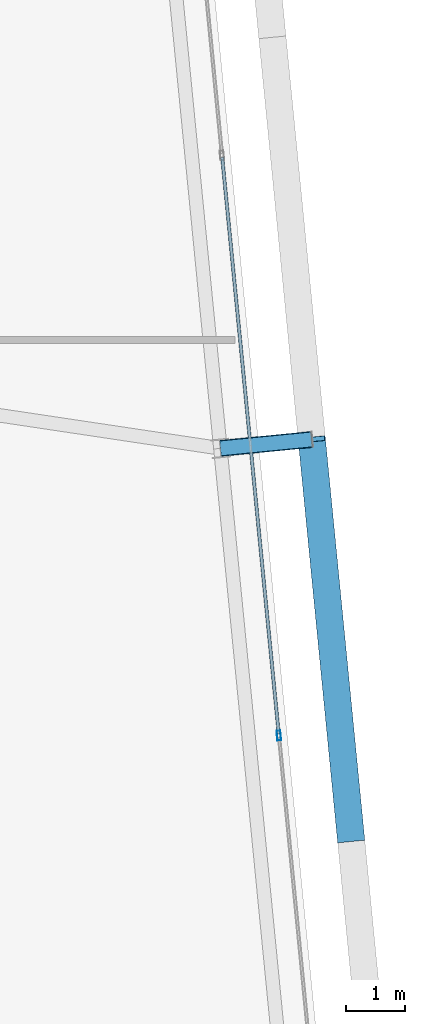
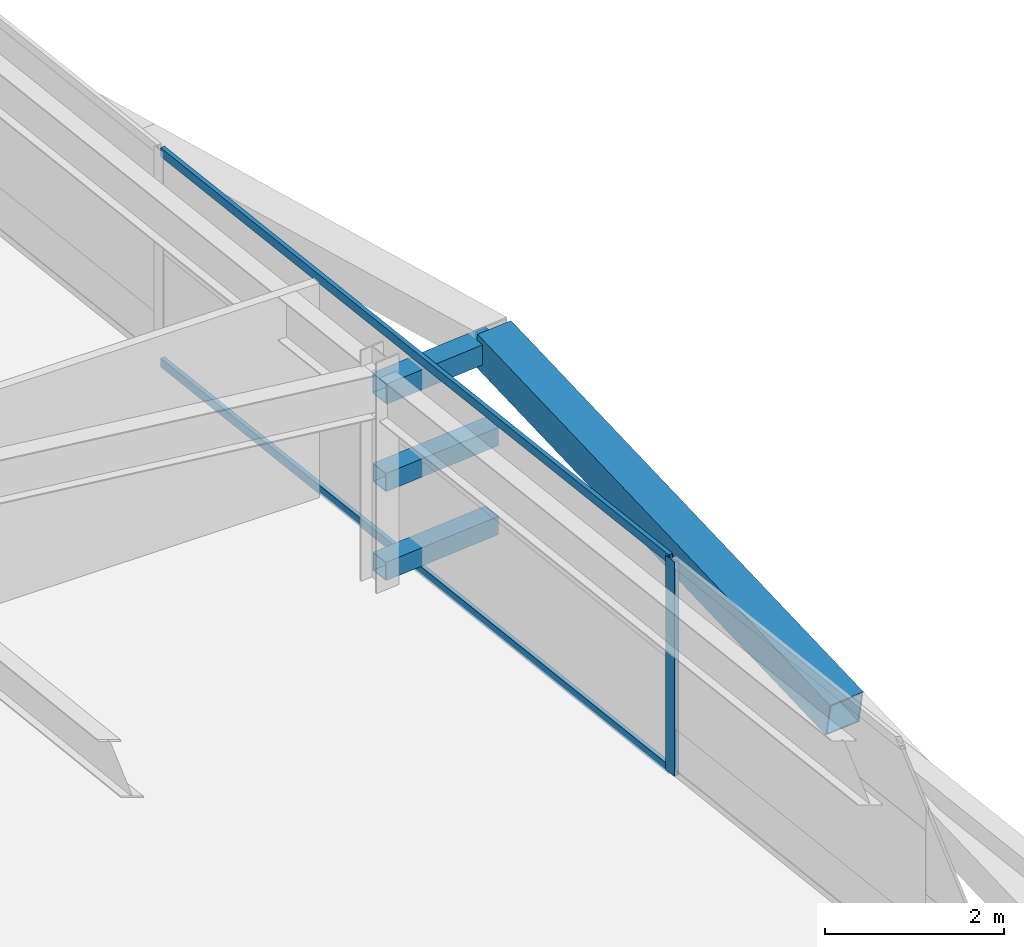
# One storey, part 21 of 47: 7 members, 1 element without a shape of its own.
"""IFC4 building model written with IfcOpenShell, lengths in metres."""

from ifc_helpers import new_model, si_unit, direction, frame, origin, origin_2d, place, context, subcontext, project, spatial, hollow_rectangle, extrude, source, transform, mapped, material, layer, layer_set, material_profile, profile_set, type_object, element, aggregate, save


model = new_model("IFC4")

# Units and contexts
model_context = context("Model", 3, precision=1e-05, world=origin(), true_north=direction((0.0, 1.0)))
body_context = subcontext(model_context, "Body", "Model", "MODEL_VIEW")
ifc_project = project(units=[si_unit("LENGTHUNIT", "METRE"), si_unit("AREAUNIT", "SQUARE_METRE"), si_unit("VOLUMEUNIT", "CUBIC_METRE"), si_unit("PLANEANGLEUNIT", "RADIAN"), si_unit("MASSUNIT", "GRAM", prefix="KILO")], contexts=[model_context])

# Site, building, storey
site_placement = place(None, origin())
site = spatial("IfcSite", under=ifc_project, at=site_placement, CompositionType="ELEMENT")
building_placement = place(site_placement, origin())
building = spatial("IfcBuilding", under=site, at=building_placement, Name="Taldren Reach Tower", CompositionType="ELEMENT")
storey_placement = place(building_placement, frame((0.0, 0.0, 106.050048828125)))
storey = spatial("IfcBuildingStorey", under=building, at=storey_placement, Name="L32", CompositionType="ELEMENT", Elevation=106.050048828125)

# Members
ifc_material_1 = material(Name="Steel Gr 450 (C450L0)", Category="steel")
ifc_material_profile_1 = material_profile(ifc_material_1, hollow_rectangle(XDim=0.27490234375, YDim=0.27490234375, WallThickness=0.00927734375, at=origin_2d()), Name="275x275x9.3SHS")
ifc_profile_set_1 = profile_set([ifc_material_profile_1], Name="Steel Gr 450 (C450L0)")
member_type_1 = type_object("IfcMemberType", Name="MB-TIE273", PredefinedType="STRUT", material=ifc_profile_set_1)
shared_shape_1 = source(origin(), body_context, "Body", "SweptSolid", [
    extrude(hollow_rectangle(XDim=0.27490234375, YDim=0.27490234375, WallThickness=0.00927734375, at=origin_2d()), origin(), (0.0, 0.0, 1.0), 1.5498046875),
])
member_1_placement = place(storey_placement, frame((64.569580078125, 21.968994140625, 2.64990234375), z_axis=(0.995234821595, 0.097507178627, 0.0), x_axis=(-0.097507178627, 0.995234821595, 0.0)))
element("IfcMember", 1, at=member_1_placement, inside=storey, type_object=member_type_1, Name="Exoskeleton diaphragm tie strut B2-E2 L32", PredefinedType="STRUT", context=body_context, shape_type="MappedRepresentation", body=[
    mapped(shared_shape_1, transform((0.0, 0.0, 0.0), scale=1.0)),
])
ifc_material_2 = material(Name="Steel Gr 350 (C350L0)", Category="steel")
ifc_material_profile_2 = material_profile(ifc_material_2, hollow_rectangle(XDim=0.25, YDim=0.25, WallThickness=0.010009765625, at=origin_2d()), Name="250x250x10.0SHS")
ifc_profile_set_2 = profile_set([ifc_material_profile_2], Name="Steel Gr 350 (C350L0)")
member_type_2 = type_object("IfcMemberType", Name="MB-POST250", PredefinedType="POST", material=ifc_profile_set_2)
shared_shape_2 = source(origin(), body_context, "Body", "SweptSolid", [
    extrude(hollow_rectangle(XDim=0.25, YDim=0.25, WallThickness=0.010009765625, at=origin_2d()), origin(), (0.0, 0.0, 1.0), 1.5498046875),
])
for number, where, z_axis, x_axis, name in (
    (2, (64.569580078125, 21.968994140625, 0.219970703125), (0.995234821595, 0.097507178627, 0.0), (-0.097507178627, 0.995234821595, 0.0), "Exoskeleton base diaphragm tie strut B2-E2 L32"),
    (3, (64.569580078125, 21.968994140625, 1.43505859375), (0.995234821595, 0.097507178627, 0.0), (-0.097507178627, 0.995234821595, 0.0), "Exoskeleton mid-tier diaphragm tie B2-E2 L32"),
):
    element("IfcMember", number, at=place(storey_placement, frame(where, z_axis=z_axis, x_axis=x_axis)), inside=storey, type_object=member_type_2, Name=name, PredefinedType="POST", context=body_context, shape_type="MappedRepresentation", body=[
        mapped(shared_shape_2, transform((0.0, 0.0, 0.0), scale=1.0)),
    ])
ifc_material_profile_3 = material_profile(ifc_material_1, hollow_rectangle(XDim=0.4599609375, YDim=0.4599609375, WallThickness=0.01611328125, at=origin_2d()), Name="460x460x16.0SHS")
ifc_profile_set_3 = profile_set([ifc_material_profile_3], Name="Steel Gr 450 (C450L0)")
member_type_3 = type_object("IfcMemberType", Name="MB-EXO457", PredefinedType="BRACE", material=ifc_profile_set_3)
shared_shape_3 = source(origin(), body_context, "Body", "SweptSolid", [
    extrude(hollow_rectangle(XDim=0.4599609375, YDim=0.4599609375, WallThickness=0.01611328125, at=origin_2d()), origin(), (0.0, 0.0, 1.0), 6.883056640625),
])
member_2_placement = place(storey_placement, frame((66.773193359375, 15.37744140625, 1.43505859375), z_axis=(-0.096052059581, 0.979603316657, 0.176497432967), x_axis=(-0.995227290009, -0.097584021339, 0.0)))
element("IfcMember", 4, at=member_2_placement, inside=storey, type_object=member_type_3, Name="Exoskeleton Diagrid Brace B2-E1 L32", PredefinedType="BRACE", context=body_context, shape_type="MappedRepresentation", body=[
    mapped(shared_shape_3, transform((0.0, 0.0, 0.0), scale=1.0)),
])

# Curtain wall, members
ifc_material_3 = material(Name="Aluminium and Low-E Glass Unitised System", Category="aluminium")
ifc_layer = layer(ifc_material_3, 0.159912109375)
ifc_layer_set = layer_set([ifc_layer], Name="Aluminium and Low-E Glass Unitised System")
curtain_wall_type = type_object("IfcCurtainWallType", Name="CW-SYS-3", PredefinedType="NOTDEFINED", material=ifc_layer_set)
curtain_wall_placement = place(storey_placement, origin())
curtain_wall = element("IfcCurtainWall", 5, at=curtain_wall_placement, inside=storey, type_object=curtain_wall_type, Name="Unitised curtain wall CW-L32-E", PredefinedType="NOTDEFINED")
ifc_material_4 = material(Name="Anodised Aluminium 6063-T6", Category="aluminium")
ifc_material_profile_4 = material_profile(ifc_material_4, hollow_rectangle(XDim=0.06494140625, YDim=0.1650390625, WallThickness=0.00390625, at=origin_2d()), Name="ALU-165x65x4RHS")
ifc_profile_set_4 = profile_set([ifc_material_profile_4], Name="Anodised Aluminium 6063-T6")
member_type_4 = type_object("IfcMemberType", Name="CW-MUL-165", PredefinedType="MULLION", material=ifc_profile_set_4)
shared_shape_4 = source(origin(), body_context, "Body", "SweptSolid", [
    extrude(hollow_rectangle(XDim=0.06494140625, YDim=0.1650390625, WallThickness=0.00390625, at=origin_2d()), origin(), (0.0, 0.0, 1.0), 2.929931640625),
])
member_3_placement = place(storey_placement, frame((65.556884765625, 17.12548828125, 0.0), z_axis=(0.0, 0.0, 1.0), x_axis=(-0.99522741555, -0.09758274098, 0.0)))
member_3 = element("IfcMember", 6, at=member_3_placement, type_object=member_type_4, Name="CW-3 mullion 2", PredefinedType="MULLION", context=body_context, shape_type="MappedRepresentation", body=[
    mapped(shared_shape_4, transform((0.0, 0.0, 0.0), scale=1.0)),
])
ifc_material_profile_5 = material_profile(ifc_material_4, hollow_rectangle(XDim=0.054931640625, YDim=0.1201171875, WallThickness=0.0029296875, at=origin_2d()), Name="ALU-120x55x3RHS")
ifc_profile_set_5 = profile_set([ifc_material_profile_5], Name="Anodised Aluminium 6063-T6")
member_type_5 = type_object("IfcMemberType", Name="CW-TRN-135", PredefinedType="USERDEFINED", material=ifc_profile_set_5)
shared_shape_5 = source(origin(), body_context, "Body", "SweptSolid", [
    extrude(hollow_rectangle(XDim=0.054931640625, YDim=0.1201171875, WallThickness=0.0029296875, at=origin_2d()), origin(), (0.0, 0.0, 1.0), 9.768310546875),
])
member_4_placement = place(storey_placement, frame((65.5537109375, 17.15771484375, 0.02734375), z_axis=(-0.097598120756, 0.995225907432, 0.0), x_axis=(-0.995225907432, -0.097598120756, 0.0)))
member_4 = element("IfcMember", 7, at=member_4_placement, type_object=member_type_5, Name="CW-3 transom 2.1", ObjectType="TRANSOM", PredefinedType="USERDEFINED", context=body_context, shape_type="MappedRepresentation", body=[
    mapped(shared_shape_5, transform((0.0, 0.0, 0.0), scale=1.0)),
])
member_5_placement = place(storey_placement, frame((65.5537109375, 17.15771484375, 2.90234375), z_axis=(-0.097598120756, 0.995225907432, 0.0), x_axis=(-0.995225907432, -0.097598120756, 0.0)))
member_5 = element("IfcMember", 8, at=member_5_placement, type_object=member_type_5, Name="CW-3 transom 2.2", ObjectType="TRANSOM", PredefinedType="USERDEFINED", context=body_context, shape_type="MappedRepresentation", body=[
    mapped(shared_shape_5, transform((0.0, 0.0, 0.0), scale=1.0)),
])
aggregate(curtain_wall, [member_3, member_4, member_5])

save(model, "model.ifc")
